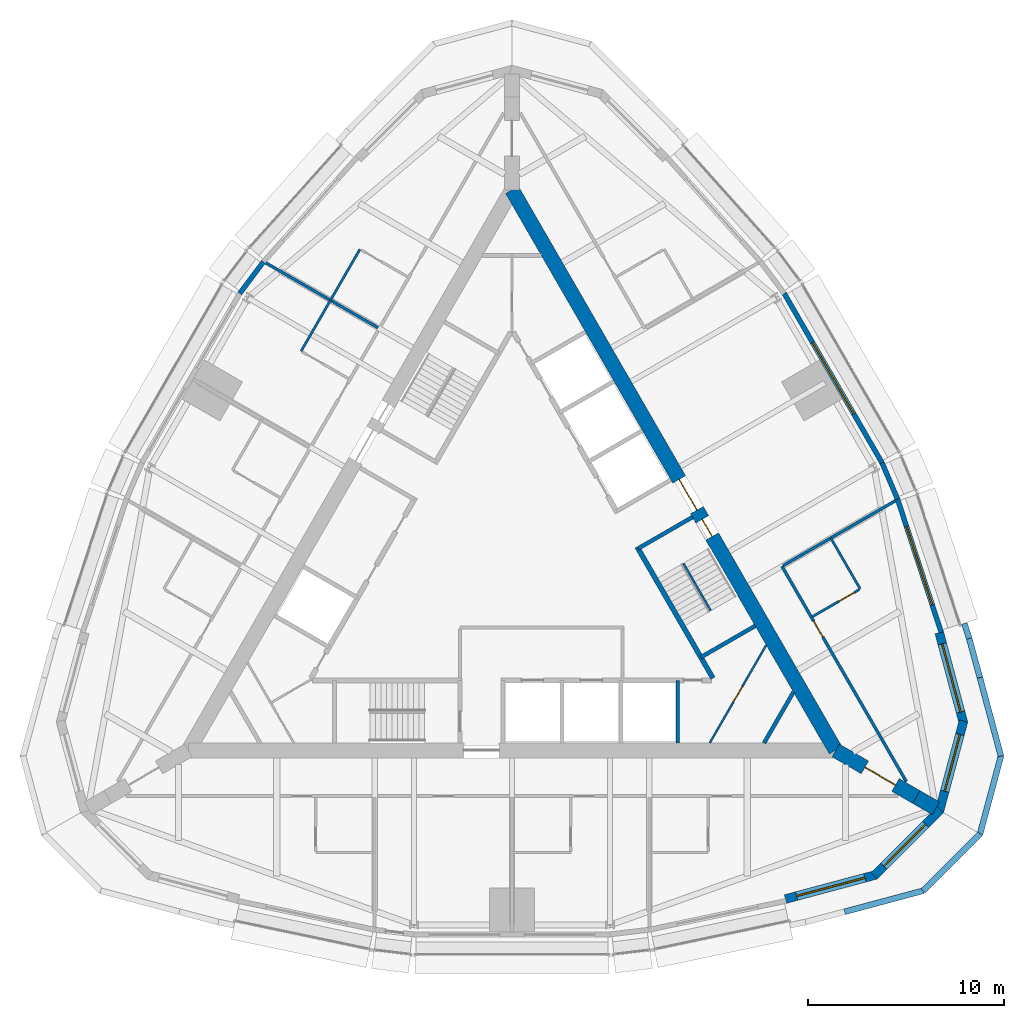
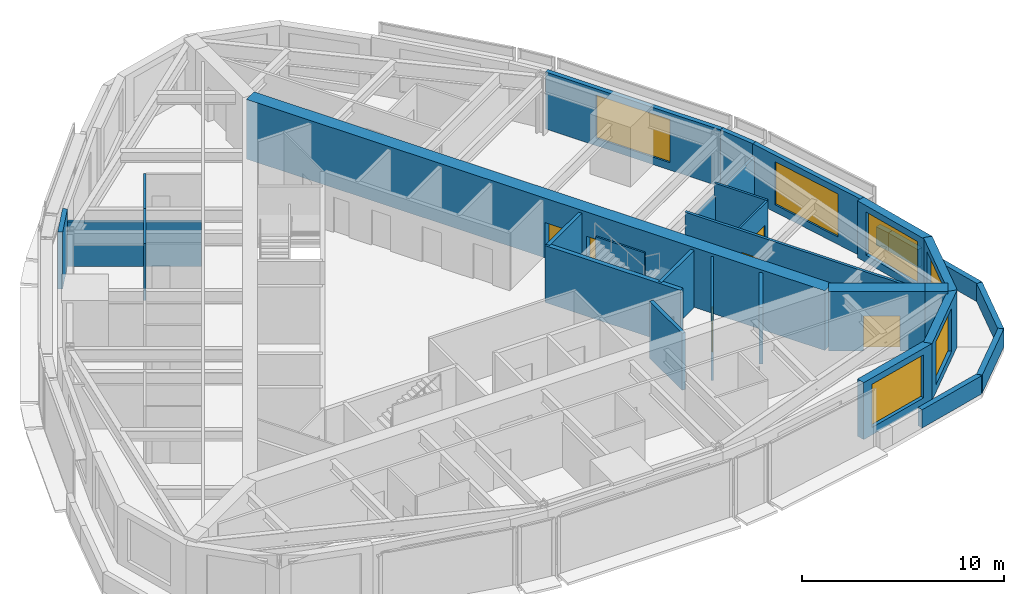
# One storey, part 10 of 13: 31 walls, 6 doors, 6 windows, 12 openings.
"""IFC4 building model written with IfcOpenShell, lengths in metres."""

import ifcopenshell
import ifcopenshell.guid

model = None  # the IFC model being written
_history = None  # IfcOwnerHistory: only IFC2X3 demands one
_inside = {}  # id of a spatial element -> (the spatial element, [elements in it])
_under = {}  # id of a project, library or spatial element -> (it, [spatial elements below it])
_declared = {}  # id of a project -> (the project, [libraries it declares])
_typed = {}  # id of a type object -> (the type object, [elements of that type])
_made_of = {}  # id of a material, layer set ... -> (it, [elements and type objects made of it])


def new_model(schema):
    """Start an empty IFC model of exactly this schema.

    Asked for "IFC4X3", IfcOpenShell would pick the latest addendum, in which some entities
    have other attributes; the version numbers below select the first issue.
    IFC2X3 requires an IfcOwnerHistory on every rooted entity: one is made here for all.
    """
    global model, _history
    if schema == "IFC4X3":
        model = ifcopenshell.file(schema_version=(4, 3, 0, 0))
    else:
        model = ifcopenshell.file(schema=schema)
    _inside.clear()
    _under.clear()
    _declared.clear()
    _typed.clear()
    _made_of.clear()
    _history = None
    if model.schema == "IFC2X3":
        org = make("IfcOrganization", Name="unknown")
        user = make(
            "IfcPersonAndOrganization",
            ThePerson=make("IfcPerson", FamilyName="unknown"),
            TheOrganization=org,
        )
        app = make(
            "IfcApplication",
            ApplicationDeveloper=org,
            Version="unknown",
            ApplicationFullName="unknown",
            ApplicationIdentifier="unknown",
        )
        _history = make(
            "IfcOwnerHistory",
            OwningUser=user,
            OwningApplication=app,
            ChangeAction="ADDED",
            CreationDate=0,
        )
    return model


def make(cls, **values):
    """One entity of the class cls with the attributes given. An attribute that is None is left unset."""
    return model.create_entity(
        cls, **{name: value for name, value in values.items() if value is not None}
    )


def rooted(cls, **values):
    """An entity with a GlobalId (a new one), such as an element, a storey or a relation."""
    return make(cls, GlobalId=ifcopenshell.guid.new(), OwnerHistory=_history, **values)


def si_unit(unit_type, name, prefix=None):
    """IfcSIUnit, for example si_unit("LENGTHUNIT", "METRE", prefix="MILLI")."""
    return make("IfcSIUnit", UnitType=unit_type, Prefix=prefix, Name=name)


def assignment(units):
    """IfcUnitAssignment: the units of a project."""
    return None if units is None else make("IfcUnitAssignment", Units=units)


def point(xyz):
    """IfcCartesianPoint."""
    return None if xyz is None else make("IfcCartesianPoint", Coordinates=xyz)


def direction(xyz):
    """IfcDirection."""
    return None if xyz is None else make("IfcDirection", DirectionRatios=xyz)


def frame(location, z_axis=None, x_axis=None):
    """IfcAxis2Placement3D, a coordinate frame: its origin and axes. An axis left out is left unset."""
    return make(
        "IfcAxis2Placement3D",
        Location=point(location),
        Axis=direction(z_axis),
        RefDirection=direction(x_axis),
    )


def frame_2d(location, x_axis=None):
    """IfcAxis2Placement2D, a coordinate frame in the plane: its origin and x axis."""
    return make(
        "IfcAxis2Placement2D", Location=point(location), RefDirection=direction(x_axis)
    )


def origin():
    """The frame at (0, 0, 0) with its axes left unset."""
    return frame((0.0, 0.0, 0.0))


def place(relative_to, where):
    """IfcLocalPlacement: puts the frame where relative to a parent placement (None: the world)."""
    return make(
        "IfcLocalPlacement", PlacementRelTo=relative_to, RelativePlacement=where
    )


def context(
    kind, dimensions, precision=None, world=None, true_north=None, identifier=None
):
    """IfcGeometricRepresentationContext, for example the 3D "Model" context."""
    return make(
        "IfcGeometricRepresentationContext",
        ContextIdentifier=identifier,
        ContextType=kind,
        CoordinateSpaceDimension=dimensions,
        Precision=precision,
        WorldCoordinateSystem=world,
        TrueNorth=true_north,
    )


def subcontext(parent, identifier, kind, view, scale=None):
    """IfcGeometricRepresentationSubContext, for example "Body" below "Model"."""
    return make(
        "IfcGeometricRepresentationSubContext",
        ContextIdentifier=identifier,
        ContextType=kind,
        ParentContext=parent,
        TargetScale=scale,
        TargetView=view,
    )


def project(units=None, contexts=None):
    """IfcProject with its units and contexts."""
    return rooted(
        "IfcProject",
        Name="project",
        RepresentationContexts=contexts,
        UnitsInContext=assignment(units),
    )


def spatial(cls, under=None, at=None, **own):
    """A site, building, storey or space (cls), placed at a placement, below another one or the project."""
    s = rooted(cls, ObjectPlacement=at, **own)
    if under is not None:
        _under.setdefault(under.id(), (under, []))[1].append(s)
    return s


def polyline(points):
    """IfcPolyline through the points."""
    return make("IfcPolyline", Points=[point(p) for p in points])


def profile(cls, at=None, kind="AREA", **sizes):
    """A parametric profile (cls). Its sizes go by their IFC names, for example OverallWidth=200.0."""
    return make(cls, ProfileType=kind, Position=at, **sizes)


def rectangle(**sizes):
    """IfcRectangleProfileDef."""
    return profile("IfcRectangleProfileDef", **sizes)


def outline(outer, holes=None, kind="AREA"):
    """IfcArbitraryClosedProfileDef: a profile drawn as a closed curve; with holes, ...WithVoids."""
    if holes is None:
        return make("IfcArbitraryClosedProfileDef", ProfileType=kind, OuterCurve=outer)
    return make(
        "IfcArbitraryProfileDefWithVoids",
        ProfileType=kind,
        OuterCurve=outer,
        InnerCurves=holes,
    )


def extrude(swept, where, along, depth):
    """IfcExtrudedAreaSolid: the profile swept, set in the frame where, extruded along a direction by depth."""
    return make(
        "IfcExtrudedAreaSolid",
        SweptArea=swept,
        Position=where,
        ExtrudedDirection=direction(along),
        Depth=depth,
    )


def shape(context_of_items, identifier, shape_type, items):
    """IfcShapeRepresentation: the items that make up one representation, for example the "Body"."""
    return make(
        "IfcShapeRepresentation",
        ContextOfItems=context_of_items,
        RepresentationIdentifier=identifier,
        RepresentationType=shape_type,
        Items=items,
    )


def material(Name=None, Category=None):
    """IfcMaterial."""
    return make("IfcMaterial", Name=Name, Category=Category)


def layer(
    of_material, thickness, ventilated=None, Name=None, Category=None, Priority=None
):
    """IfcMaterialLayer: one layer of a wall or slab, of a material (None: an air gap)."""
    return make(
        "IfcMaterialLayer",
        Material=of_material,
        LayerThickness=thickness,
        IsVentilated=ventilated,
        Name=Name,
        Category=Category,
        Priority=Priority,
    )


def layer_set(layers, Name=None):
    """IfcMaterialLayerSet."""
    return make("IfcMaterialLayerSet", MaterialLayers=layers, LayerSetName=Name)


def made_of(thing, what):
    """Note that an element or type object is made of a material, layer set ...; save() writes the relation."""
    if what is not None:
        _made_of.setdefault(what.id(), (what, []))[1].append(thing)
    return thing


def type_object(cls, material=None, **own):
    """A type object (cls), such as IfcWallType, which elements share."""
    return made_of(rooted(cls, **own), material)


def element(
    cls,
    number,
    at=None,
    inside=None,
    cuts=None,
    type_object=None,
    material=None,
    context=None,
    identifier="Body",
    shape_type=None,
    held_by="IfcProductDefinitionShape",
    body=None,
    shapes=None,
    **own,
):
    """One element of the class cls, such as IfcWall. Its Tag is "e" and its number.

    at: its placement. inside: the storey or other place that contains it. cuts: it is an
    opening in that element (IfcRelVoidsElement). A single representation is given by context,
    identifier, shape_type and body (its items); several are given by shapes. held_by: the class
    of the entity that holds the representations. save() writes the other relations.
    """
    e = rooted(cls, Tag="e%d" % number, ObjectPlacement=at, **own)
    if body is not None:
        shapes = [shape(context, identifier, shape_type, body)]
    if shapes is not None:
        e.Representation = make(held_by, Representations=shapes)
    if inside is not None:
        _inside.setdefault(inside.id(), (inside, []))[1].append(e)
    if cuts is not None:
        rooted(
            "IfcRelVoidsElement", RelatingBuildingElement=cuts, RelatedOpeningElement=e
        )
    if type_object is not None:
        _typed.setdefault(type_object.id(), (type_object, []))[1].append(e)
    return made_of(e, material)


def fill(opening, filler):
    """IfcRelFillsElement: the door or window that sits in an opening."""
    return rooted(
        "IfcRelFillsElement",
        RelatingOpeningElement=opening,
        RelatedBuildingElement=filler,
    )


def aggregate(whole, parts):
    """IfcRelAggregates: a whole, such as a stair, and the parts it consists of."""
    return rooted("IfcRelAggregates", RelatingObject=whole, RelatedObjects=parts)


def save(model, path):
    """Write the relations noted so far, then the file.

    IfcRelAggregates (storeys below a building ...), IfcRelContainedInSpatialStructure (elements
    in a storey), IfcRelDefinesByType, IfcRelAssociatesMaterial and IfcRelDeclares: one each for
    every whole, place, type object, material and project.
    """
    for whole, parts in _under.values():
        aggregate(whole, parts)
    for where, things in _inside.values():
        rooted(
            "IfcRelContainedInSpatialStructure",
            RelatedElements=things,
            RelatingStructure=where,
        )
    for kind, things in _typed.values():
        rooted("IfcRelDefinesByType", RelatedObjects=things, RelatingType=kind)
    for what, things in _made_of.values():
        rooted("IfcRelAssociatesMaterial", RelatedObjects=things, RelatingMaterial=what)
    for by, libraries in _declared.values():
        rooted("IfcRelDeclares", RelatingContext=by, RelatedDefinitions=libraries)
    model.write(path)


model = new_model("IFC4")

# Units and contexts
model_context = context("Model", 3, precision=1e-05, world=origin(), true_north=direction((0.0, 1.0)))
body_context = subcontext(model_context, "Body", "Model", "MODEL_VIEW")
ifc_project = project(units=[si_unit("LENGTHUNIT", "METRE"), si_unit("AREAUNIT", "SQUARE_METRE"), si_unit("VOLUMEUNIT", "CUBIC_METRE"), si_unit("PLANEANGLEUNIT", "RADIAN"), si_unit("MASSUNIT", "GRAM", prefix="KILO")], contexts=[model_context])

# Site, building, storey
site_placement = place(None, origin())
site = spatial("IfcSite", under=ifc_project, at=site_placement, CompositionType="ELEMENT")
building_placement = place(site_placement, origin())
building = spatial("IfcBuilding", under=site, at=building_placement, Name="Trikona Tower", CompositionType="ELEMENT")
storey_placement = place(building_placement, frame((0.0, 0.0, 239.300048828125)))
storey = spatial("IfcBuildingStorey", under=building, at=storey_placement, Name="L63", CompositionType="ELEMENT", Elevation=239.300048828125)

# Wall
ifc_material_1 = material(Name="Metal stud and cement board", Category="gypsum")
ifc_layer_1 = layer(ifc_material_1, 0.1201171875)
ifc_layer_set_1 = layer_set([ifc_layer_1], Name="Bathroom wall 120")
wall_type_1 = type_object("IfcWallType", Name="Bathroom wall 120", PredefinedType="PLUMBINGWALL", material=ifc_layer_set_1)
wall_1_placement = place(storey_placement, frame((17.75341796875, -1.297119140625, 0.0), z_axis=(0.0, 0.0, 1.0), x_axis=(-0.499990139034, 0.866031096941, 0.0)))
element("IfcWall", 1, at=wall_1_placement, inside=storey, type_object=wall_type_1, Name="Bathroom wall 6304", PredefinedType="PLUMBINGWALL", context=body_context, shape_type="SweptSolid", body=[
    extrude(rectangle(XDim=3.0, YDim=0.1201171875, at=frame_2d((1.5, 0.0))), origin(), (0.0, 0.0, 1.0), 3.43505859375),
])

# Wall, opening, door
wall_2_placement = place(storey_placement, frame((15.32861328125, -2.697021484375, 0.0), z_axis=(0.0, 0.0, 1.0), x_axis=(0.866035715982, 0.499982138324, 0.0)))
wall_2 = element("IfcWall", 2, at=wall_2_placement, inside=storey, type_object=wall_type_1, Name="Bathroom wall 6304", PredefinedType="PLUMBINGWALL", context=body_context, shape_type="SweptSolid", body=[
    extrude(rectangle(XDim=2.73974609375, YDim=0.1201171875, at=frame_2d((1.369873046875, 0.0))), origin(), (0.0, 0.0, 1.0), 3.43505859375),
])
opening_1_placement = place(wall_2_placement, frame((1.550048828125, 0.0, 0.0)))
opening_1 = element("IfcOpeningElement", 3, at=opening_1_placement, cuts=wall_2, Name="Opening D2", PredefinedType="OPENING", context=body_context, shape_type="SweptSolid", body=[
    extrude(rectangle(XDim=0.89990234375, YDim=2.1298828125, at=frame_2d((0.449951171875, 1.06494140625))), frame((0.0, 0.070068359375, 0.0), z_axis=(0.0, -1.0, 0.0), x_axis=(1.0, 0.0, 0.0)), (0.0, 0.0, 1.0), 0.14013671875),
])
ifc_material_2 = material(Name="Steel door frame with solid-core timber leaf", Category="steel")
door_type_1 = type_object("IfcDoorType", Name="Bathroom door 900x2130", OperationType="SLIDING_TO_LEFT", PredefinedType="DOOR", material=ifc_material_2)
door_1_placement = place(opening_1_placement, origin())
door_1 = element("IfcDoor", 4, at=door_1_placement, inside=storey, type_object=door_type_1, Name="Bathroom door 6304", OperationType="SLIDING_TO_LEFT", OverallHeight=2.1298828125, OverallWidth=0.89990234375, PredefinedType="DOOR", context=body_context, shape_type="SweptSolid", body=[
    extrude(rectangle(XDim=0.89990234375, YDim=2.1298828125, at=frame_2d((0.449951171875, 1.06494140625))), frame((0.0, 0.02490234375, 0.0), z_axis=(0.0, -1.0, 0.0), x_axis=(1.0, 0.0, 0.0)), (0.0, 0.0, 1.0), 0.050048828125),
])
fill(opening_1, door_1)

# Walls
for number, where, z_axis, x_axis, name in (
    (5, (-7.75341796875, 16.0234375, 0.0), (0.0, 0.0, 1.0), (-0.499990139034, -0.866031096941, 0.0), "Bathroom wall 6306"),
    (6, (-9.25341796875, 13.42529296875, 0.0), (0.0, 0.0, 1.0), (-0.499990139034, -0.866031096941, 0.0), "Bathroom wall 6307"),
):
    element("IfcWall", number, at=place(storey_placement, frame(where, z_axis=z_axis, x_axis=x_axis)), inside=storey, type_object=wall_type_1, Name=name, PredefinedType="PLUMBINGWALL", context=body_context, shape_type="SweptSolid", body=[
        extrude(rectangle(XDim=3.0, YDim=0.1201171875, at=frame_2d((1.5, 0.0))), origin(), (0.0, 0.0, 1.0), 3.43505859375),
    ])

# Wall, opening, window
ifc_material_3 = material(Name="Brick-faced precast concrete", Category="masonry")
ifc_layer_2 = layer(ifc_material_3, 0.449951171875)
ifc_layer_set_2 = layer_set([ifc_layer_2], Name="Brick-faced corner wall 450")
wall_type_2 = type_object("IfcWallType", Name="Brick-faced corner wall 450", PredefinedType="SOLIDWALL", material=ifc_layer_set_2)
wall_3_placement = place(storey_placement, frame((13.94189453125, -17.103271484375, 0.0), z_axis=(0.0, 0.0, 1.0), x_axis=(0.965913862671, 0.258863689806, 0.0)))
wall_3 = element("IfcWall", 7, at=wall_3_placement, inside=storey, type_object=wall_type_2, Name="External wall L63-05", PredefinedType="SOLIDWALL", context=body_context, shape_type="SweptSolid", body=[
    extrude(rectangle(XDim=4.78173828125, YDim=0.449951171875, at=frame_2d((2.390869140625, 0.0))), origin(), (0.0, 0.0, 1.0), 3.43505859375),
])
opening_2_placement = place(wall_3_placement, frame((0.5908203125, 0.0, 0.449951171875)))
opening_2 = element("IfcOpeningElement", 8, at=opening_2_placement, cuts=wall_3, Name="Opening W3626", PredefinedType="OPENING", context=body_context, shape_type="SweptSolid", body=[
    extrude(rectangle(XDim=3.60009765625, YDim=2.60009765625, at=frame_2d((1.800048828125, 1.300048828125))), frame((0.0, 0.23486328125, 0.0), z_axis=(0.0, -1.0, 0.0), x_axis=(1.0, 0.0, 0.0)), (0.0, 0.0, 1.0), 0.469970703125),
])
ifc_material_4 = material(Name="Aluminium-framed double glazing", Category="aluminium")
window_type_1 = type_object("IfcWindowType", Name="Window 3600x2600", PartitioningType="SINGLE_PANEL", PredefinedType="WINDOW", material=ifc_material_4)
window_1_placement = place(opening_2_placement, origin())
window_1 = element("IfcWindow", 9, at=window_1_placement, inside=storey, type_object=window_type_1, Name="Window 6303", OverallHeight=2.60009765625, OverallWidth=3.60009765625, PartitioningType="SINGLE_PANEL", PredefinedType="WINDOW", context=body_context, shape_type="SweptSolid", body=[
    extrude(rectangle(XDim=3.60009765625, YDim=2.60009765625, at=frame_2d((1.800048828125, 1.300048828125))), frame((0.0, 0.030029296875, 0.0), z_axis=(0.0, -1.0, 0.0), x_axis=(1.0, 0.0, 0.0)), (0.0, 0.0, 1.0), 0.06005859375),
])
fill(opening_2, window_1)

wall_4_placement = place(storey_placement, frame((18.459716796875, -15.923828125, 0.0), z_axis=(0.0, 0.0, 1.0), x_axis=(0.707081252484, 0.707132308968, 0.0)))
wall_4 = element("IfcWall", 10, at=wall_4_placement, inside=storey, type_object=wall_type_2, Name="External wall L63-06", PredefinedType="SOLIDWALL", context=body_context, shape_type="SweptSolid", body=[
    extrude(outline(polyline([(4.78173828125, 0.22509765625), (4.722900390625, 0.22509765625), (4.302978515625, 0.112548828125), (4.27294921875, 0.22509765625), (0.0, 0.22509765625), (0.0, -0.22509765625), (4.78173828125, -0.22509765625), (4.78173828125, 0.22509765625)])), origin(), (0.0, 0.0, 1.0), 3.43505859375),
])
opening_3_placement = place(wall_4_placement, frame((0.71142578125, 0.0, 0.449951171875)))
opening_3 = element("IfcOpeningElement", 11, at=opening_3_placement, cuts=wall_4, Name="Opening W3026", PredefinedType="OPENING", context=body_context, shape_type="SweptSolid", body=[
    extrude(rectangle(XDim=3.0, YDim=2.60009765625, at=frame_2d((1.5, 1.300048828125))), frame((0.0, 0.23486328125, 0.0), z_axis=(0.0, -1.0, 0.0), x_axis=(1.0, 0.0, 0.0)), (0.0, 0.0, 1.0), 0.469970703125),
])
ifc_material_5 = material(Name="Aluminium-framed double glazing", Category="aluminium")
window_type_2 = type_object("IfcWindowType", Name="Window 3000x2600", PartitioningType="SINGLE_PANEL", PredefinedType="WINDOW", material=ifc_material_5)
window_2_placement = place(opening_3_placement, origin())
window_2 = element("IfcWindow", 12, at=window_2_placement, inside=storey, type_object=window_type_2, Name="Window 6303", OverallHeight=2.60009765625, OverallWidth=3.0, PartitioningType="SINGLE_PANEL", PredefinedType="WINDOW", context=body_context, shape_type="SweptSolid", body=[
    extrude(rectangle(XDim=3.0, YDim=2.60009765625, at=frame_2d((1.5, 1.300048828125))), frame((0.0, 0.030029296875, 0.0), z_axis=(0.0, -1.0, 0.0), x_axis=(1.0, 0.0, 0.0)), (0.0, 0.0, 1.0), 0.06005859375),
])
fill(opening_3, window_2)

wall_5_placement = place(storey_placement, frame((21.78271484375, -12.6435546875, 0.0), z_axis=(0.0, 0.0, 1.0), x_axis=(0.25880328844, 0.965930048136, 0.0)))
wall_5 = element("IfcWall", 13, at=wall_5_placement, inside=storey, type_object=wall_type_2, Name="External wall L63-07", PredefinedType="SOLIDWALL", context=body_context, shape_type="SweptSolid", body=[
    extrude(outline(polyline([(4.78173828125, 0.22509765625), (0.5087890625, 0.22509765625), (0.478759765625, 0.112548828125), (0.0595703125, 0.22509765625), (0.0, 0.22509765625), (0.0, -0.22509765625), (4.78173828125, -0.22509765625), (4.78173828125, 0.22509765625)])), origin(), (0.0, 0.0, 1.0), 3.43505859375),
])
opening_4_placement = place(wall_5_placement, frame((1.0703125, 0.0, 0.449951171875)))
opening_4 = element("IfcOpeningElement", 14, at=opening_4_placement, cuts=wall_5, Name="Opening W3026", PredefinedType="OPENING", context=body_context, shape_type="SweptSolid", body=[
    extrude(rectangle(XDim=3.0, YDim=2.60009765625, at=frame_2d((1.5, 1.300048828125))), frame((0.0, 0.23486328125, 0.0), z_axis=(0.0, -1.0, 0.0), x_axis=(1.0, 0.0, 0.0)), (0.0, 0.0, 1.0), 0.469970703125),
])
window_3_placement = place(opening_4_placement, origin())
window_3 = element("IfcWindow", 15, at=window_3_placement, inside=storey, type_object=window_type_2, Name="Window 6304", OverallHeight=2.60009765625, OverallWidth=3.0, PartitioningType="SINGLE_PANEL", PredefinedType="WINDOW", context=body_context, shape_type="SweptSolid", body=[
    extrude(rectangle(XDim=3.0, YDim=2.60009765625, at=frame_2d((1.5, 1.300048828125))), frame((0.0, 0.030029296875, 0.0), z_axis=(0.0, -1.0, 0.0), x_axis=(1.0, 0.0, 0.0)), (0.0, 0.0, 1.0), 0.06005859375),
])
fill(opening_4, window_3)

wall_6_placement = place(storey_placement, frame((23.020263671875, -8.14111328125, 0.0), z_axis=(0.0, 0.0, 1.0), x_axis=(-0.25880328844, 0.965930048136, 0.0)))
wall_6 = element("IfcWall", 16, at=wall_6_placement, inside=storey, type_object=wall_type_2, Name="External wall L63-08", PredefinedType="SOLIDWALL", context=body_context, shape_type="SweptSolid", body=[
    extrude(rectangle(XDim=4.78173828125, YDim=0.449951171875, at=frame_2d((2.390869140625, 0.0))), origin(), (0.0, 0.0, 1.0), 3.43505859375),
])
opening_5_placement = place(wall_6_placement, frame((0.5908203125, 0.0, 0.449951171875)))
opening_5 = element("IfcOpeningElement", 17, at=opening_5_placement, cuts=wall_6, Name="Opening W3626", PredefinedType="OPENING", context=body_context, shape_type="SweptSolid", body=[
    extrude(rectangle(XDim=3.60009765625, YDim=2.60009765625, at=frame_2d((1.800048828125, 1.300048828125))), frame((0.0, 0.23486328125, 0.0), z_axis=(0.0, -1.0, 0.0), x_axis=(1.0, 0.0, 0.0)), (0.0, 0.0, 1.0), 0.469970703125),
])
window_4_placement = place(opening_5_placement, origin())
window_4 = element("IfcWindow", 18, at=window_4_placement, inside=storey, type_object=window_type_1, Name="Window 6304", OverallHeight=2.60009765625, OverallWidth=3.60009765625, PartitioningType="SINGLE_PANEL", PredefinedType="WINDOW", context=body_context, shape_type="SweptSolid", body=[
    extrude(rectangle(XDim=3.60009765625, YDim=2.60009765625, at=frame_2d((1.800048828125, 1.300048828125))), frame((0.0, 0.030029296875, 0.0), z_axis=(0.0, -1.0, 0.0), x_axis=(1.0, 0.0, 0.0)), (0.0, 0.0, 1.0), 0.06005859375),
])
fill(opening_5, window_4)

# Wall, opening, door
ifc_material_6 = material(Name="Concrete f'c 10000 psi", Category="concrete")
ifc_layer_3 = layer(ifc_material_6, 0.75)
ifc_layer_set_3 = layer_set([ifc_layer_3], Name="Buttress wall 750")
wall_type_3 = type_object("IfcWallType", Name="Buttress wall 750", PredefinedType="SHEAR", material=ifc_layer_set_3)
wall_7_placement = place(storey_placement, frame((16.5, -9.5263671875, 0.0), z_axis=(0.0, 0.0, 1.0), x_axis=(0.866031398331, -0.499989616998, 0.0)))
wall_7 = element("IfcWall", 19, at=wall_7_placement, inside=storey, type_object=wall_type_3, Name="Buttress wall 1", PredefinedType="SHEAR", context=body_context, shape_type="SweptSolid", body=[
    extrude(rectangle(XDim=4.74609375, YDim=0.75, at=frame_2d((2.373046875, 0.0))), origin(), (0.0, 0.0, 1.0), 3.599853515625),
])
opening_6_placement = place(wall_7_placement, frame((1.72509765625, 0.0, 0.0)))
opening_6 = element("IfcOpeningElement", 20, at=opening_6_placement, cuts=wall_7, Name="Opening D10", PredefinedType="OPENING", context=body_context, shape_type="SweptSolid", body=[
    extrude(rectangle(XDim=1.800048828125, YDim=2.1298828125, at=frame_2d((0.89990234375, 1.06494140625))), frame((0.0, 0.385009765625, 0.0), z_axis=(0.0, -1.0, 0.0), x_axis=(1.0, 0.0, 0.0)), (0.0, 0.0, 1.0), 0.77001953125),
])
ifc_material_7 = material(Name="Hollow metal door and frame", Category="steel")
door_type_2 = type_object("IfcDoorType", Name="Cross-corridor door pair 1800x2130", OperationType="DOUBLE_DOOR_DOUBLE_SWING", PredefinedType="DOOR", material=ifc_material_7)
door_2_placement = place(opening_6_placement, origin())
door_2 = element("IfcDoor", 21, at=door_2_placement, inside=storey, type_object=door_type_2, Name="Cross-corridor door 1", OperationType="DOUBLE_DOOR_DOUBLE_SWING", OverallHeight=2.1298828125, OverallWidth=1.800048828125, PredefinedType="DOOR", context=body_context, shape_type="SweptSolid", body=[
    extrude(rectangle(XDim=1.800048828125, YDim=2.1298828125, at=frame_2d((0.89990234375, 1.06494140625))), frame((0.0, 0.02490234375, 0.0), z_axis=(0.0, -1.0, 0.0), x_axis=(1.0, 0.0, 0.0)), (0.0, 0.0, 1.0), 0.050048828125),
])
fill(opening_6, door_2)

# Wall
wall_8_placement = place(storey_placement, frame((20.6103515625, -11.8994140625, 0.0), z_axis=(0.0, 0.0, 1.0), x_axis=(0.866009537788, -0.500027479704, 0.0)))
element("IfcWall", 22, at=wall_8_placement, inside=storey, type_object=wall_type_3, Name="Buttress wall 1 part 2", PredefinedType="SHEAR", context=body_context, shape_type="SweptSolid", body=[
    extrude(rectangle(XDim=1.15478515625, YDim=0.75, at=frame_2d((0.577392578125, 0.0))), origin(), (0.0, 0.0, 1.0), 3.599853515625),
])

# Wall, openings, doors
ifc_material_8 = material(Name="Concrete f'c 10000 psi", Category="concrete")
ifc_layer_4 = layer(ifc_material_8, 0.75)
ifc_layer_set_4 = layer_set([ifc_layer_4], Name="Core wall 750")
wall_type_4 = type_object("IfcWallType", Name="Core wall 750", PredefinedType="SHEAR", material=ifc_layer_set_4)
wall_9_placement = place(storey_placement, frame((16.5, -9.5263671875, 0.0), z_axis=(0.0, 0.0, 1.0), x_axis=(-0.499999749417, 0.866025548458, 0.0)))
wall_9 = element("IfcWall", 23, at=wall_9_placement, inside=storey, type_object=wall_type_4, Name="Core wall B", PredefinedType="SHEAR", context=body_context, shape_type="SweptSolid", body=[
    extrude(rectangle(XDim=33.0, YDim=0.75, at=frame_2d((16.5, 0.0))), origin(), (0.0, 0.0, 1.0), 3.599853515625),
])
opening_7_placement = place(wall_9_placement, frame((14.14990234375, 0.0, 0.0)))
opening_7 = element("IfcOpeningElement", 24, at=opening_7_placement, cuts=wall_9, Name="Opening D6", PredefinedType="OPENING", context=body_context, shape_type="SweptSolid", body=[
    extrude(rectangle(XDim=1.800048828125, YDim=2.1298828125, at=frame_2d((0.89990234375, 1.06494140625))), frame((0.0, 0.385009765625, 0.0), z_axis=(0.0, -1.0, 0.0), x_axis=(1.0, 0.0, 0.0)), (0.0, 0.0, 1.0), 0.77001953125),
])
opening_8_placement = place(wall_9_placement, frame((12.60009765625, 0.0, 0.0)))
opening_8 = element("IfcOpeningElement", 25, at=opening_8_placement, cuts=wall_9, Name="Opening D5", PredefinedType="OPENING", context=body_context, shape_type="SweptSolid", body=[
    extrude(rectangle(XDim=1.0, YDim=2.1298828125, at=frame_2d((0.5, 1.06494140625))), frame((0.0, 0.385009765625, 0.0), z_axis=(0.0, -1.0, 0.0), x_axis=(1.0, 0.0, 0.0)), (0.0, 0.0, 1.0), 0.77001953125),
])
ifc_material_9 = material(Name="Hollow metal door and frame", Category="steel")
door_type_3 = type_object("IfcDoorType", Name="Lobby door pair 1800x2130", OperationType="DOUBLE_DOOR_SINGLE_SWING", PredefinedType="DOOR", material=ifc_material_9)
door_3_placement = place(opening_7_placement, origin())
door_3 = element("IfcDoor", 26, at=door_3_placement, inside=storey, type_object=door_type_3, Name="Lift lobby door B", OperationType="DOUBLE_DOOR_SINGLE_SWING", OverallHeight=2.1298828125, OverallWidth=1.800048828125, PredefinedType="DOOR", context=body_context, shape_type="SweptSolid", body=[
    extrude(rectangle(XDim=1.800048828125, YDim=2.1298828125, at=frame_2d((0.89990234375, 1.06494140625))), frame((0.0, 0.02490234375, 0.0), z_axis=(0.0, -1.0, 0.0), x_axis=(1.0, 0.0, 0.0)), (0.0, 0.0, 1.0), 0.050048828125),
])
fill(opening_7, door_3)
ifc_material_10 = material(Name="Hollow metal door and frame", Category="steel")
door_type_4 = type_object("IfcDoorType", Name="Stair door 1000x2130", OperationType="SINGLE_SWING_LEFT", PredefinedType="DOOR", material=ifc_material_10)
door_4_placement = place(opening_8_placement, origin())
door_4 = element("IfcDoor", 27, at=door_4_placement, inside=storey, type_object=door_type_4, Name="Stair B door", OperationType="SINGLE_SWING_RIGHT", OverallHeight=2.1298828125, OverallWidth=1.0, PredefinedType="DOOR", context=body_context, shape_type="SweptSolid", body=[
    extrude(rectangle(XDim=1.0, YDim=2.1298828125, at=frame_2d((0.5, 1.06494140625))), frame((0.0, 0.02490234375, 0.0), z_axis=(0.0, -1.0, 0.0), x_axis=(1.0, 0.0, 0.0)), (0.0, 0.0, 1.0), 0.050048828125),
])
fill(opening_8, door_4)

# Wall, opening, door
ifc_material_11 = material(Name="Metal stud and gypsum board, 1-hour", Category="gypsum")
ifc_layer_5 = layer(ifc_material_11, 0.14990234375)
ifc_layer_set_5 = layer_set([ifc_layer_5], Name="Corridor wall 150")
wall_type_5 = type_object("IfcWallType", Name="Corridor wall 150", PredefinedType="PARTITIONING", material=ifc_layer_set_5)
wall_10_placement = place(storey_placement, frame((20.10205078125, -11.115234375, 0.0), z_axis=(0.0, 0.0, 1.0), x_axis=(-0.500001960654, 0.866024271797, 0.0)))
wall_10 = element("IfcWall", 28, at=wall_10_placement, inside=storey, type_object=wall_type_5, Name="Corridor wall L63-2A", PredefinedType="PARTITIONING", context=body_context, shape_type="SweptSolid", body=[
    extrude(rectangle(XDim=12.67724609375, YDim=0.14990234375, at=frame_2d((6.338623046875, 0.0))), origin(), (0.0, 0.0, 1.0), 3.43505859375),
])
opening_9_placement = place(wall_10_placement, frame((8.501953125, 0.0, 0.0)))
opening_9 = element("IfcOpeningElement", 29, at=opening_9_placement, cuts=wall_10, Name="Opening D1", PredefinedType="OPENING", context=body_context, shape_type="SweptSolid", body=[
    extrude(rectangle(XDim=0.949951171875, YDim=2.1298828125, at=frame_2d((0.47509765625, 1.06494140625))), frame((0.0, 0.0849609375, 0.0), z_axis=(0.0, -1.0, 0.0), x_axis=(1.0, 0.0, 0.0)), (0.0, 0.0, 1.0), 0.169921875),
])
ifc_material_12 = material(Name="Steel door frame with solid-core timber leaf", Category="steel")
door_type_5 = type_object("IfcDoorType", Name="Guest room door 950x2130", OperationType="SINGLE_SWING_LEFT", PredefinedType="DOOR", material=ifc_material_12)
door_5_placement = place(opening_9_placement, origin())
door_5 = element("IfcDoor", 30, at=door_5_placement, inside=storey, type_object=door_type_5, Name="Room door 6304", OperationType="SINGLE_SWING_LEFT", OverallHeight=2.1298828125, OverallWidth=0.949951171875, PredefinedType="DOOR", context=body_context, shape_type="SweptSolid", body=[
    extrude(rectangle(XDim=0.949951171875, YDim=2.1298828125, at=frame_2d((0.47509765625, 1.06494140625))), frame((0.0, 0.02490234375, 0.0), z_axis=(0.0, -1.0, 0.0), x_axis=(1.0, 0.0, 0.0)), (0.0, 0.0, 1.0), 0.050048828125),
])
fill(opening_9, door_5)

# Wall
ifc_material_13 = material(Name="Concrete f'c 8000 psi", Category="concrete")
ifc_layer_6 = layer(ifc_material_13, 0.25)
ifc_layer_set_6 = layer_set([ifc_layer_6], Name="Hub wall 250")
wall_type_6 = type_object("IfcWallType", Name="Hub wall 250", PredefinedType="SOLIDWALL", material=ifc_layer_set_6)
wall_11_placement = place(storey_placement, frame((10.245361328125, -5.843017578125, 0.0), z_axis=(0.0, 0.0, 1.0), x_axis=(-0.499993009313, 0.866029439822, 0.0)))
element("IfcWall", 31, at=wall_11_placement, inside=storey, type_object=wall_type_6, Name="Lift lobby wall B1", PredefinedType="SOLIDWALL", context=body_context, shape_type="SweptSolid", body=[
    extrude(rectangle(XDim=7.73291015625, YDim=0.25, at=frame_2d((3.866455078125, 0.0))), origin(), (0.0, 0.0, 1.0), 3.43505859375),
])

# Wall, opening, window
ifc_material_14 = material(Name="Insulated precast concrete spandrel panel", Category="concrete")
ifc_layer_7 = layer(ifc_material_14, 0.25)
ifc_layer_set_7 = layer_set([ifc_layer_7], Name="Inner skin wall 250")
wall_type_7 = type_object("IfcWallType", Name="Inner skin wall 250", PredefinedType="STANDARD", material=ifc_layer_set_7)
wall_12_placement = place(storey_placement, frame((21.881103515625, -3.5029296875, 0.0), z_axis=(0.0, 0.0, 1.0), x_axis=(-0.311328857048, 0.95030223759, 0.0)))
wall_12 = element("IfcWall", 32, at=wall_12_placement, inside=storey, type_object=wall_type_7, Name="External wall L63-09", PredefinedType="STANDARD", context=body_context, shape_type="SweptSolid", body=[
    extrude(rectangle(XDim=7.152587890625, YDim=0.25, at=frame_2d((3.576171875, 0.0))), origin(), (0.0, 0.0, 1.0), 3.43505859375),
])
opening_10_placement = place(wall_12_placement, frame((1.476318359375, 0.0, 0.449951171875)))
opening_10 = element("IfcOpeningElement", 33, at=opening_10_placement, cuts=wall_12, Name="Opening W4226", PredefinedType="OPENING", context=body_context, shape_type="SweptSolid", body=[
    extrude(rectangle(XDim=4.199951171875, YDim=2.60009765625, at=frame_2d((2.10009765625, 1.300048828125))), frame((0.0, 0.135009765625, 0.0), z_axis=(0.0, -1.0, 0.0), x_axis=(1.0, 0.0, 0.0)), (0.0, 0.0, 1.0), 0.27001953125),
])
ifc_material_15 = material(Name="Aluminium-framed double glazing", Category="aluminium")
window_type_3 = type_object("IfcWindowType", Name="Window 4200x2600", PartitioningType="SINGLE_PANEL", PredefinedType="WINDOW", material=ifc_material_15)
window_5_placement = place(opening_10_placement, origin())
window_5 = element("IfcWindow", 34, at=window_5_placement, inside=storey, type_object=window_type_3, Name="Window 6304", OverallHeight=2.60009765625, OverallWidth=4.199951171875, PartitioningType="SINGLE_PANEL", PredefinedType="WINDOW", context=body_context, shape_type="SweptSolid", body=[
    extrude(rectangle(XDim=4.199951171875, YDim=2.60009765625, at=frame_2d((2.10009765625, 1.300048828125))), frame((0.0, 0.030029296875, 0.0), z_axis=(0.0, -1.0, 0.0), x_axis=(1.0, 0.0, 0.0)), (0.0, 0.0, 1.0), 0.06005859375),
])
fill(opening_10, window_5)

# Wall
wall_13_placement = place(storey_placement, frame((19.658203125, 3.283935546875, 0.0), z_axis=(0.0, 0.0, 1.0), x_axis=(-0.393290226175, 0.91941437774, 0.0)))
element("IfcWall", 35, at=wall_13_placement, inside=storey, type_object=wall_type_7, Name="External wall L63-10", PredefinedType="STANDARD", context=body_context, shape_type="SweptSolid", body=[
    extrude(rectangle(XDim=2.014404296875, YDim=0.25, at=frame_2d((1.00732421875, 0.0))), origin(), (0.0, 0.0, 1.0), 3.43505859375),
])

# Wall, opening, window
wall_14_placement = place(storey_placement, frame((18.87255859375, 5.12255859375, 0.0), z_axis=(0.0, 0.0, 1.0), x_axis=(-0.499993662806, 0.866029062534, 0.0)))
wall_14 = element("IfcWall", 36, at=wall_14_placement, inside=storey, type_object=wall_type_7, Name="External wall L63-11", PredefinedType="STANDARD", context=body_context, shape_type="SweptSolid", body=[
    extrude(rectangle(XDim=10.000244140625, YDim=0.25, at=frame_2d((5.0, 0.0))), origin(), (0.0, 0.0, 1.0), 3.43505859375),
])
opening_11_placement = place(wall_14_placement, frame((2.89990234375, 0.0, 0.449951171875)))
opening_11 = element("IfcOpeningElement", 37, at=opening_11_placement, cuts=wall_14, Name="Opening W4226", PredefinedType="OPENING", context=body_context, shape_type="SweptSolid", body=[
    extrude(rectangle(XDim=4.199951171875, YDim=2.60009765625, at=frame_2d((2.10009765625, 1.300048828125))), frame((0.0, 0.135009765625, 0.0), z_axis=(0.0, -1.0, 0.0), x_axis=(1.0, 0.0, 0.0)), (0.0, 0.0, 1.0), 0.27001953125),
])
window_6_placement = place(opening_11_placement, origin())
window_6 = element("IfcWindow", 38, at=window_6_placement, inside=storey, type_object=window_type_3, Name="Window L63-LNG", OverallHeight=2.60009765625, OverallWidth=4.199951171875, PartitioningType="SINGLE_PANEL", PredefinedType="WINDOW", context=body_context, shape_type="SweptSolid", body=[
    extrude(rectangle(XDim=4.199951171875, YDim=2.60009765625, at=frame_2d((2.10009765625, 1.300048828125))), frame((0.0, 0.030029296875, 0.0), z_axis=(0.0, -1.0, 0.0), x_axis=(1.0, 0.0, 0.0)), (0.0, 0.0, 1.0), 0.06005859375),
])
fill(opening_11, window_6)

# Walls
wall_15_placement = place(storey_placement, frame((-12.673095703125, 15.38232421875, 0.0), z_axis=(0.0, 0.0, 1.0), x_axis=(-0.599650843534, -0.800261748335, 0.0)))
element("IfcWall", 39, at=wall_15_placement, inside=storey, type_object=wall_type_7, Name="External wall L63-19", PredefinedType="STANDARD", context=body_context, shape_type="SweptSolid", body=[
    extrude(rectangle(XDim=2.01416015625, YDim=0.25, at=frame_2d((1.007080078125, 0.0))), origin(), (0.0, 0.0, 1.0), 3.43505859375),
])
ifc_material_16 = material(Name="Brick-faced precast concrete", Category="masonry")
ifc_layer_8 = layer(ifc_material_16, 0.300048828125)
ifc_layer_set_8 = layer_set([ifc_layer_8], Name="Parapet wall 300")
wall_type_8 = type_object("IfcWallType", Name="Parapet wall 300", PredefinedType="PARAPET", material=ifc_layer_set_8)
wall_16_placement = place(storey_placement, frame((23.05810546875, -3.05419921875, 0.0), z_axis=(0.0, 0.0, 1.0), x_axis=(0.315049484827, -0.949075245758, 0.0)))
element("IfcWall", 40, at=wall_16_placement, inside=storey, type_object=wall_type_8, Name="Parapet L63-22", PredefinedType="PARAPET", context=body_context, shape_type="SweptSolid", body=[
    extrude(rectangle(XDim=0.808349609375, YDim=0.300048828125, at=frame_2d((0.404296875, 0.0))), origin(), (0.0, 0.0, 1.0), 1.099853515625),
])
wall_17_placement = place(storey_placement, frame((23.312744140625, -3.8212890625, 0.0), z_axis=(0.0, 0.0, 1.0), x_axis=(0.262857141623, -0.964834764661, 0.0)))
element("IfcWall", 41, at=wall_17_placement, inside=storey, type_object=wall_type_8, Name="Parapet L63-23", PredefinedType="PARAPET", context=body_context, shape_type="SweptSolid", body=[
    extrude(rectangle(XDim=2.063720703125, YDim=0.300048828125, at=frame_2d((1.03173828125, 0.0))), origin(), (0.0, 0.0, 1.0), 1.099853515625),
])
wall_18_placement = place(storey_placement, frame((23.855224609375, -5.8125, 0.0), z_axis=(0.0, 0.0, 1.0), x_axis=(0.258777316825, -0.965937006381, 0.0)))
element("IfcWall", 42, at=wall_18_placement, inside=storey, type_object=wall_type_8, Name="Parapet L63-24", PredefinedType="PARAPET", context=body_context, shape_type="SweptSolid", body=[
    extrude(rectangle(XDim=4.1435546875, YDim=0.300048828125, at=frame_2d((2.07177734375, 0.0))), origin(), (0.0, 0.0, 1.0), 1.099853515625),
])
wall_19_placement = place(storey_placement, frame((24.927490234375, -9.81494140625, 0.0), z_axis=(0.0, 0.0, 1.0), x_axis=(-0.258795560265, -0.965932118726, 0.0)))
element("IfcWall", 43, at=wall_19_placement, inside=storey, type_object=wall_type_8, Name="Parapet L63-25", PredefinedType="PARAPET", context=body_context, shape_type="SweptSolid", body=[
    extrude(rectangle(XDim=4.103759765625, YDim=0.300048828125, at=frame_2d((2.0517578125, 0.0))), origin(), (0.0, 0.0, 1.0), 1.099853515625),
])
wall_20_placement = place(storey_placement, frame((23.865478515625, -13.77880859375, 0.0), z_axis=(0.0, 0.0, 1.0), x_axis=(-0.707106781187, -0.707106781187, 0.0)))
element("IfcWall", 44, at=wall_20_placement, inside=storey, type_object=wall_type_8, Name="Parapet L63-26", PredefinedType="PARAPET", context=body_context, shape_type="SweptSolid", body=[
    extrude(rectangle(XDim=4.103515625, YDim=0.300048828125, at=frame_2d((2.0517578125, 0.0))), origin(), (0.0, 0.0, 1.0), 1.099853515625),
])
wall_21_placement = place(storey_placement, frame((20.9638671875, -16.680419921875, 0.0), z_axis=(0.0, 0.0, 1.0), x_axis=(-0.965922277207, -0.258832290092, 0.0)))
element("IfcWall", 45, at=wall_21_placement, inside=storey, type_object=wall_type_8, Name="Parapet L63-27", PredefinedType="PARAPET", context=body_context, shape_type="SweptSolid", body=[
    extrude(rectangle(XDim=4.1435546875, YDim=0.300048828125, at=frame_2d((2.07177734375, 0.0))), origin(), (0.0, 0.0, 1.0), 1.099853515625),
])
ifc_material_17 = material(Name="Metal stud and gypsum board, 1-hour acoustic", Category="gypsum")
ifc_layer_9 = layer(ifc_material_17, 0.14990234375)
ifc_layer_set_9 = layer_set([ifc_layer_9], Name="Party wall 150")
wall_type_9 = type_object("IfcWallType", Name="Party wall 150", PredefinedType="PARTITIONING", material=ifc_layer_set_9)
wall_22_placement = place(storey_placement, frame((13.82861328125, -0.09912109375, 0.0), z_axis=(0.0, 0.0, 1.0), x_axis=(0.866022562216, 0.500004921708, 0.0)))
element("IfcWall", 46, at=wall_22_placement, inside=storey, type_object=wall_type_9, Name="Partition L63 F2 u-7", PredefinedType="PARTITIONING", context=body_context, shape_type="SweptSolid", body=[
    extrude(rectangle(XDim=6.60888671875, YDim=0.14990234375, at=frame_2d((3.304443359375, 0.0))), origin(), (0.0, 0.0, 1.0), 2.677978515625),
])
wall_23_placement = place(storey_placement, frame((-6.82861328125, 12.025390625, 0.0), z_axis=(0.0, 0.0, 1.0), x_axis=(-0.866029323189, 0.499993211332, 0.0)))
element("IfcWall", 47, at=wall_23_placement, inside=storey, type_object=wall_type_9, Name="Partition L63 F3 u-7", PredefinedType="PARTITIONING", context=body_context, shape_type="SweptSolid", body=[
    extrude(rectangle(XDim=6.6083984375, YDim=0.14990234375, at=frame_2d((3.30419921875, 0.0))), origin(), (0.0, 0.0, 1.0), 2.677978515625),
])
ifc_material_18 = material(Name="Concrete f'c 8000 psi", Category="concrete")
ifc_layer_10 = layer(ifc_material_18, 0.199951171875)
ifc_layer_set_10 = layer_set([ifc_layer_10], Name="Shaft wall 200")
wall_type_10 = type_object("IfcWallType", Name="Shaft wall 200", PredefinedType="SOLIDWALL", material=ifc_layer_set_10)
wall_24_placement = place(storey_placement, frame((8.449951171875, -5.951416015625, 0.0), z_axis=(0.0, 0.0, 1.0), x_axis=(0.0, -1.0, 0.0)))
element("IfcWall", 48, at=wall_24_placement, inside=storey, type_object=wall_type_10, Name="Shaft wall A6", PredefinedType="SOLIDWALL", context=body_context, shape_type="SweptSolid", body=[
    extrude(rectangle(XDim=3.199951171875, YDim=0.199951171875, at=frame_2d((1.60009765625, 0.0))), origin(), (0.0, 0.0, 1.0), 3.43505859375),
])
wall_25_placement = place(storey_placement, frame((14.349365234375, -6.55126953125, 0.0), z_axis=(0.0, 0.0, 1.0), x_axis=(-0.499952404951, -0.866052881055, 0.0)))
element("IfcWall", 49, at=wall_25_placement, inside=storey, type_object=wall_type_10, Name="Riser wall L63-RS1", PredefinedType="SOLIDWALL", context=body_context, shape_type="SweptSolid", body=[
    extrude(rectangle(XDim=3.002197265625, YDim=0.199951171875, at=frame_2d((1.5009765625, 0.0))), origin(), (0.0, 0.0, 1.0), 3.43505859375),
])
ifc_material_19 = material(Name="Concrete f'c 8000 psi", Category="concrete")
ifc_layer_11 = layer(ifc_material_19, 0.199951171875)
ifc_layer_set_11 = layer_set([ifc_layer_11], Name="Shaft wall 200 load-bearing")
wall_type_11 = type_object("IfcWallType", Name="Shaft wall 200 load-bearing", PredefinedType="SOLIDWALL", material=ifc_layer_set_11)
for number, where, z_axis, x_axis, name in (
    (50, (9.62890625, -4.775390625, 0.0), (0.0, 0.0, 1.0), (0.866008981251, 0.500028443584, 0.0), "Shaft wall B1"),
    (51, (6.428955078125, 0.767333984375, 0.0), (0.0, 0.0, 1.0), (0.866042017984, 0.499971222258, 0.0), "Shaft wall B2"),
):
    element("IfcWall", number, at=place(storey_placement, frame(where, z_axis=z_axis, x_axis=x_axis)), inside=storey, type_object=wall_type_11, Name=name, PredefinedType="SOLIDWALL", context=body_context, shape_type="SweptSolid", body=[
        extrude(rectangle(XDim=3.199951171875, YDim=0.199951171875, at=frame_2d((1.60009765625, 0.0))), origin(), (0.0, 0.0, 1.0), 3.43505859375),
    ])
ifc_material_20 = material(Name="Concrete f'c 5000 psi", Category="concrete")
ifc_layer_12 = layer(ifc_material_20, 0.10009765625)
ifc_layer_set_12 = layer_set([ifc_layer_12], Name="Stair spine wall 100")
wall_type_12 = type_object("IfcWallType", Name="Stair spine wall 100", PredefinedType="SOLIDWALL", material=ifc_layer_set_12)
wall_26_placement = place(storey_placement, frame((10.134765625, -2.4013671875, 0.0), z_axis=(0.0, 0.0, 1.0), x_axis=(-0.499992232847, 0.866029888106, 0.0)))
element("IfcWall", 52, at=wall_26_placement, inside=storey, type_object=wall_type_12, Name="Stair B spine wall L63", PredefinedType="SOLIDWALL", context=body_context, shape_type="SweptSolid", body=[
    extrude(rectangle(XDim=2.7939453125, YDim=0.10009765625, at=frame_2d((1.39697265625, 0.0))), origin(), (0.0, 0.0, 1.0), 3.599853515625),
])

# Wall, opening, door
ifc_material_21 = material(Name="Metal stud and gypsum board, acoustic", Category="gypsum")
ifc_layer_13 = layer(ifc_material_21, 0.10009765625)
ifc_layer_set_13 = layer_set([ifc_layer_13], Name="Suite partition 100")
wall_type_13 = type_object("IfcWallType", Name="Suite partition 100", PredefinedType="PARTITIONING", material=ifc_layer_set_13)
wall_27_placement = place(storey_placement, frame((12.9638671875, -4.1513671875, 0.0), z_axis=(0.0, 0.0, 1.0), x_axis=(-0.500027479704, -0.866009537788, 0.0)))
wall_27 = element("IfcWall", 53, at=wall_27_placement, inside=storey, type_object=wall_type_13, Name="Store partition L63-RS1", PredefinedType="PARTITIONING", context=body_context, shape_type="SweptSolid", body=[
    extrude(rectangle(XDim=5.773681640625, YDim=0.10009765625, at=frame_2d((2.88671875, 0.0))), origin(), (0.0, 0.0, 1.0), 3.43505859375),
])
opening_12_placement = place(wall_27_placement, frame((2.436767578125, 0.0, 0.0)))
opening_12 = element("IfcOpeningElement", 54, at=opening_12_placement, cuts=wall_27, Name="Opening D15", PredefinedType="OPENING", context=body_context, shape_type="SweptSolid", body=[
    extrude(rectangle(XDim=0.89990234375, YDim=2.1298828125, at=frame_2d((0.449951171875, 1.06494140625))), frame((0.0, 0.06005859375, 0.0), z_axis=(0.0, -1.0, 0.0), x_axis=(1.0, 0.0, 0.0)), (0.0, 0.0, 1.0), 0.1201171875),
])
ifc_material_22 = material(Name="Steel door frame with solid-core timber leaf", Category="steel")
door_type_6 = type_object("IfcDoorType", Name="Store door 900x2130", OperationType="SINGLE_SWING_LEFT", PredefinedType="DOOR", material=ifc_material_22)
door_6_placement = place(opening_12_placement, origin())
door_6 = element("IfcDoor", 55, at=door_6_placement, inside=storey, type_object=door_type_6, Name="Door Cleaner's store CLN", OperationType="SINGLE_SWING_RIGHT", OverallHeight=2.1298828125, OverallWidth=0.89990234375, PredefinedType="DOOR", context=body_context, shape_type="SweptSolid", body=[
    extrude(rectangle(XDim=0.89990234375, YDim=2.1298828125, at=frame_2d((0.449951171875, 1.06494140625))), frame((0.0, 0.02490234375, 0.0), z_axis=(0.0, -1.0, 0.0), x_axis=(1.0, 0.0, 0.0)), (0.0, 0.0, 1.0), 0.050048828125),
])
fill(opening_12, door_6)

save(model, "model.ifc")
